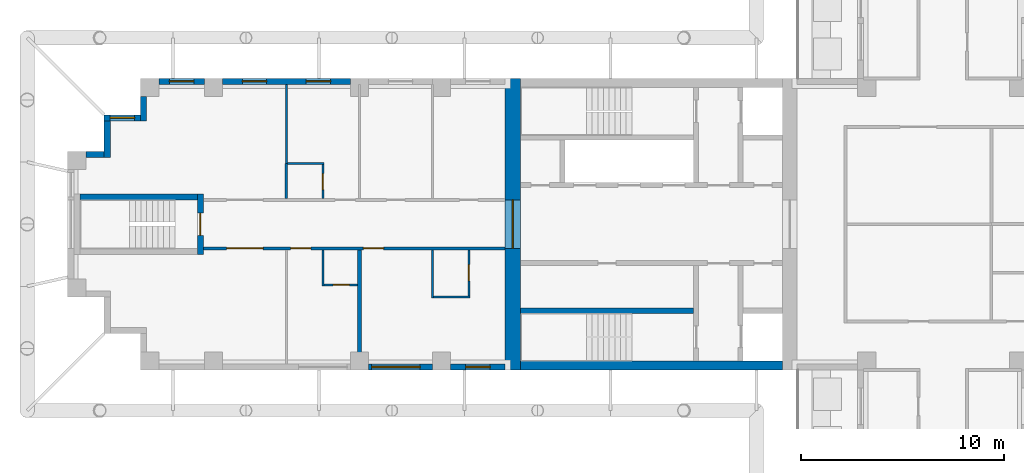
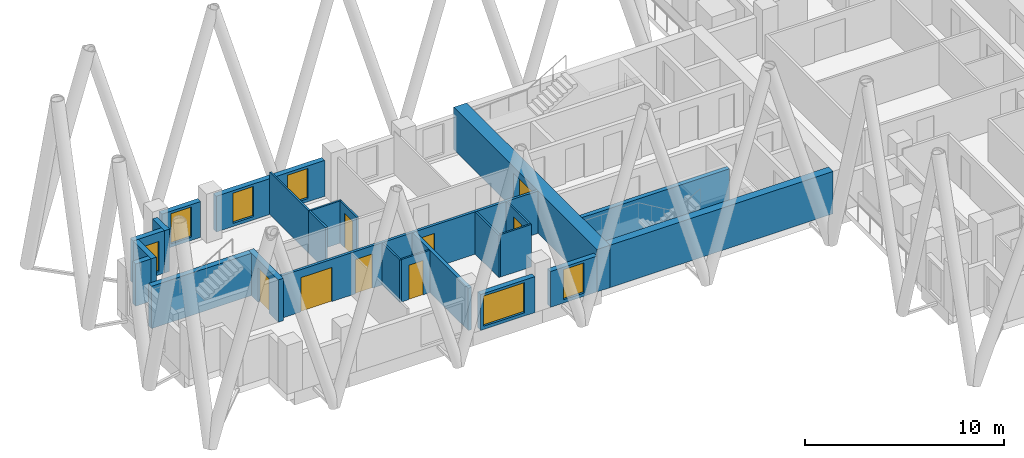
# One storey, part 3 of 12: 24 walls, 8 doors, 6 windows, 14 openings.
"""IFC4 building model written with IfcOpenShell, lengths in metres."""

from ifc_helpers import new_model, si_unit, direction, frame, frame_2d, origin, place, context, subcontext, project, spatial, rectangle, extrude, material, layer, layer_set, type_object, element, fill, save


model = new_model("IFC4")

# Units and contexts
model_context = context("Model", 3, precision=1e-05, world=origin(), true_north=direction((0.0, 1.0)))
body_context = subcontext(model_context, "Body", "Model", "MODEL_VIEW")
ifc_project = project(units=[si_unit("LENGTHUNIT", "METRE"), si_unit("AREAUNIT", "SQUARE_METRE"), si_unit("VOLUMEUNIT", "CUBIC_METRE"), si_unit("PLANEANGLEUNIT", "RADIAN"), si_unit("MASSUNIT", "GRAM", prefix="KILO")], contexts=[model_context])

# Site, building, storey
site_placement = place(None, origin())
site = spatial("IfcSite", under=ifc_project, at=site_placement, CompositionType="ELEMENT")
building_placement = place(site_placement, origin())
building = spatial("IfcBuilding", under=site, at=building_placement, Name="Fustian Cross Tower", CompositionType="ELEMENT")
storey_placement = place(building_placement, frame((0.0, 0.0, 129.300048828125)))
storey = spatial("IfcBuildingStorey", under=building, at=storey_placement, Name="L40", CompositionType="ELEMENT", Elevation=129.300048828125)

# Wall, openings, doors
ifc_material_1 = material(Name="Plasterboard on steel stud", Category="steel")
ifc_layer_1 = layer(ifc_material_1, 0.14990234375)
ifc_layer_set_1 = layer_set([ifc_layer_1], Name="Plasterboard on steel stud")
wall_type_1 = type_object("IfcWallType", Name="COMPARTMENT WALL 150 EI 60", PredefinedType="PARTITIONING", material=ifc_layer_set_1)
wall_1_placement = place(storey_placement, frame((-36.5, -1.199951171875, 0.0), z_axis=(0.0, 0.0, 1.0), x_axis=(1.0, 0.0, 0.0)))
wall_1 = element("IfcWall", 1, at=wall_1_placement, inside=storey, type_object=wall_type_1, Name="Partition 1", PredefinedType="PARTITIONING", context=body_context, shape_type="SweptSolid", body=[
    extrude(rectangle(XDim=14.89990234375, YDim=0.14990234375, at=frame_2d((7.449951171875, 0.0))), origin(), (0.0, 0.0, 1.0), 2.599853515625),
])
opening_1_placement = place(wall_1_placement, frame((7.89990234375, 0.0, 0.0)))
opening_1 = element("IfcOpeningElement", 2, at=opening_1_placement, cuts=wall_1, Name="Opening D19021", PredefinedType="OPENING", context=body_context, shape_type="SweptSolid", body=[
    extrude(rectangle(XDim=1.0, YDim=2.10009765625, at=frame_2d((0.5, 1.050048828125))), frame((0.0, 0.0849609375, 0.0), z_axis=(0.0, -1.0, 0.0), x_axis=(1.0, 0.0, 0.0)), (0.0, 0.0, 1.0), 0.169921875),
])
opening_2_placement = place(wall_1_placement, frame((4.300048828125, 0.0, 0.0)))
opening_2 = element("IfcOpeningElement", 3, at=opening_2_placement, cuts=wall_1, Name="Opening D19023", PredefinedType="OPENING", context=body_context, shape_type="SweptSolid", body=[
    extrude(rectangle(XDim=1.0, YDim=2.10009765625, at=frame_2d((0.5, 1.050048828125))), frame((0.0, 0.0849609375, 0.0), z_axis=(0.0, -1.0, 0.0), x_axis=(1.0, 0.0, 0.0)), (0.0, 0.0, 1.0), 0.169921875),
])
opening_3_placement = place(wall_1_placement, frame((1.14990234375, 0.0, 0.0)))
opening_3 = element("IfcOpeningElement", 4, at=opening_3_placement, cuts=wall_1, Name="Opening D19024", PredefinedType="OPENING", context=body_context, shape_type="SweptSolid", body=[
    extrude(rectangle(XDim=1.800048828125, YDim=2.10009765625, at=frame_2d((0.89990234375, 1.050048828125))), frame((0.0, 0.0849609375, 0.0), z_axis=(0.0, -1.0, 0.0), x_axis=(1.0, 0.0, 0.0)), (0.0, 0.0, 1.0), 0.169921875),
])
ifc_material_2 = material(Name="Timber fire door set", Category="wood")
door_type_1 = type_object("IfcDoorType", Name="FIRE DOUBLE DOOR 1800 FD30S", OperationType="DOUBLE_DOOR_DOUBLE_SWING", PredefinedType="DOOR", material=ifc_material_2)
door_1_placement = place(opening_3_placement, origin())
door_1 = element("IfcDoor", 5, at=door_1_placement, inside=storey, type_object=door_type_1, Name="Door D19024", OperationType="DOUBLE_DOOR_DOUBLE_SWING", OverallHeight=2.10009765625, OverallWidth=1.800048828125, PredefinedType="DOOR", context=body_context, shape_type="SweptSolid", body=[
    extrude(rectangle(XDim=1.800048828125, YDim=2.10009765625, at=frame_2d((0.89990234375, 1.050048828125))), frame((0.0, 0.02490234375, 0.0), z_axis=(0.0, -1.0, 0.0), x_axis=(1.0, 0.0, 0.0)), (0.0, 0.0, 1.0), 0.050048828125),
])
fill(opening_3, door_1)
ifc_material_3 = material(Name="Timber fire door set", Category="wood")
door_type_2 = type_object("IfcDoorType", Name="FIRE SWING DOOR 1000 FD30S", OperationType="SINGLE_SWING_LEFT", PredefinedType="DOOR", material=ifc_material_3)
door_2_placement = place(opening_1_placement, frame((1.0, 0.0, 0.0), z_axis=(0.0, 0.0, 1.0), x_axis=(-1.0, 0.0, 0.0)))
door_2 = element("IfcDoor", 6, at=door_2_placement, inside=storey, type_object=door_type_2, Name="Door D19021", OperationType="SINGLE_SWING_RIGHT", OverallHeight=2.10009765625, OverallWidth=1.0, PredefinedType="DOOR", context=body_context, shape_type="SweptSolid", body=[
    extrude(rectangle(XDim=1.0, YDim=2.10009765625, at=frame_2d((0.5, 1.050048828125))), frame((0.0, 0.02490234375, 0.0), z_axis=(0.0, -1.0, 0.0), x_axis=(1.0, 0.0, 0.0)), (0.0, 0.0, 1.0), 0.050048828125),
])
fill(opening_1, door_2)
door_3_placement = place(opening_2_placement, frame((1.0, 0.0, 0.0), z_axis=(0.0, 0.0, 1.0), x_axis=(-1.0, 0.0, 0.0)))
door_3 = element("IfcDoor", 7, at=door_3_placement, inside=storey, type_object=door_type_2, Name="Door D19023", OperationType="SINGLE_SWING_RIGHT", OverallHeight=2.10009765625, OverallWidth=1.0, PredefinedType="DOOR", context=body_context, shape_type="SweptSolid", body=[
    extrude(rectangle(XDim=1.0, YDim=2.10009765625, at=frame_2d((0.5, 1.050048828125))), frame((0.0, 0.02490234375, 0.0), z_axis=(0.0, -1.0, 0.0), x_axis=(1.0, 0.0, 0.0)), (0.0, 0.0, 1.0), 0.050048828125),
])
fill(opening_2, door_3)

# Wall, opening, door
ifc_material_4 = material(Name="Concrete C60/75", Category="concrete")
ifc_layer_2 = layer(ifc_material_4, 0.75)
ifc_layer_set_2 = layer_set([ifc_layer_2], Name="Concrete C60/75")
wall_type_2 = type_object("IfcWallType", Name="CORE END WALL 750 C60/75", PredefinedType="SHEAR", material=ifc_layer_set_2)
wall_2_placement = place(storey_placement, frame((-21.22509765625, -7.199951171875, 0.0), z_axis=(0.0, 0.0, 1.0), x_axis=(0.0, 1.0, 0.0)))
wall_2 = element("IfcWall", 8, at=wall_2_placement, inside=storey, type_object=wall_type_2, Name="Core end wall", PredefinedType="SHEAR", context=body_context, shape_type="SweptSolid", body=[
    extrude(rectangle(XDim=14.39990234375, YDim=0.75, at=frame_2d((7.199951171875, 0.0))), origin(), (0.0, 0.0, 1.0), 2.599853515625),
])
opening_4_placement = place(wall_2_placement, frame((6.0, 0.0, 0.0)))
opening_4 = element("IfcOpeningElement", 9, at=opening_4_placement, cuts=wall_2, Name="Opening CD-17-28", PredefinedType="OPENING", context=body_context, shape_type="SweptSolid", body=[
    extrude(rectangle(XDim=2.39990234375, YDim=2.199951171875, at=frame_2d((1.199951171875, 1.10009765625))), frame((0.0, 0.385009765625, 0.0), z_axis=(0.0, -1.0, 0.0), x_axis=(1.0, 0.0, 0.0)), (0.0, 0.0, 1.0), 0.77001953125),
])
ifc_material_5 = material(Name="Steel", Category="steel")
door_type_3 = type_object("IfcDoorType", Name="FIRE DOOR FD30S DOUBLE 2400X2200", OperationType="DOUBLE_DOOR_DOUBLE_SWING", PredefinedType="DOOR", material=ifc_material_5)
door_4_placement = place(opening_4_placement, frame((2.39990234375, 0.0, 0.0), z_axis=(0.0, 0.0, 1.0), x_axis=(-1.0, 0.0, 0.0)))
door_4 = element("IfcDoor", 10, at=door_4_placement, inside=storey, type_object=door_type_3, Name="Core door CD-17-28", OperationType="DOUBLE_DOOR_DOUBLE_SWING", OverallHeight=2.199951171875, OverallWidth=2.39990234375, PredefinedType="DOOR", context=body_context, shape_type="SweptSolid", body=[
    extrude(rectangle(XDim=2.39990234375, YDim=2.199951171875, at=frame_2d((1.199951171875, 1.10009765625))), frame((0.0, 0.02490234375, 0.0), z_axis=(0.0, -1.0, 0.0), x_axis=(1.0, 0.0, 0.0)), (0.0, 0.0, 1.0), 0.050048828125),
])
fill(opening_4, door_4)

# Walls
ifc_material_6 = material(Name="Concrete C60/75", Category="concrete")
ifc_layer_3 = layer(ifc_material_6, 0.449951171875)
ifc_layer_set_3 = layer_set([ifc_layer_3], Name="Concrete C60/75")
wall_type_3 = type_object("IfcWallType", Name="CORE FACADE WALL 450 C60/75", PredefinedType="SHEAR", material=ifc_layer_set_3)
wall_3_placement = place(storey_placement, frame((-7.89990234375, -6.97509765625, 0.0), z_axis=(0.0, 0.0, 1.0), x_axis=(-1.0, 0.0, 0.0)))
element("IfcWall", 11, at=wall_3_placement, inside=storey, type_object=wall_type_3, Name="Core facade wall", PredefinedType="SHEAR", context=body_context, shape_type="SweptSolid", body=[
    extrude(rectangle(XDim=12.9501953125, YDim=0.449951171875, at=frame_2d((6.47509765625, 0.0))), origin(), (0.0, 0.0, 1.0), 2.599853515625),
])
ifc_material_7 = material(Name="Concrete C50/60", Category="concrete")
ifc_layer_4 = layer(ifc_material_7, 0.25)
ifc_layer_set_4 = layer_set([ifc_layer_4], Name="Concrete C50/60")
wall_type_4 = type_object("IfcWallType", Name="CORE SHAFT WALL 250 C50/60", PredefinedType="SHEAR", material=ifc_layer_set_4)
wall_4_placement = place(storey_placement, frame((-12.300048828125, -4.27490234375, 0.0), z_axis=(0.0, 0.0, 1.0), x_axis=(-1.0, 0.0, 0.0)))
element("IfcWall", 12, at=wall_4_placement, inside=storey, type_object=wall_type_4, Name="Core shaft wall", PredefinedType="SHEAR", context=body_context, shape_type="SweptSolid", body=[
    extrude(rectangle(XDim=8.550048828125, YDim=0.25, at=frame_2d((4.27490234375, 0.0))), origin(), (0.0, 0.0, 1.0), 2.599853515625),
])
ifc_material_8 = material(Name="Plasterboard on steel stud", Category="steel")
ifc_layer_5 = layer(ifc_material_8, 0.10009765625)
ifc_layer_set_5 = layer_set([ifc_layer_5], Name="Plasterboard on steel stud")
wall_type_5 = type_object("IfcWallType", Name="PARTITION 100 STUD", PredefinedType="PARTITIONING", material=ifc_layer_set_5)
wall_5_placement = place(storey_placement, frame((-32.39990234375, 3.0, 0.0), z_axis=(0.0, 0.0, 1.0), x_axis=(0.0, 1.0, 0.0)))
element("IfcWall", 13, at=wall_5_placement, inside=storey, type_object=wall_type_5, Name="Partition 5", PredefinedType="PARTITIONING", context=body_context, shape_type="SweptSolid", body=[
    extrude(rectangle(XDim=3.89990234375, YDim=0.10009765625, at=frame_2d((1.949951171875, 0.0))), origin(), (0.0, 0.0, 1.0), 2.599853515625),
])
wall_6_placement = place(storey_placement, frame((-32.33740234375, 3.0, 0.0), z_axis=(0.0, 0.0, 1.0), x_axis=(1.0, 0.0, 0.0)))
element("IfcWall", 14, at=wall_6_placement, inside=storey, type_object=wall_type_5, Name="Partition 6", PredefinedType="PARTITIONING", context=body_context, shape_type="SweptSolid", body=[
    extrude(rectangle(XDim=1.787353515625, YDim=0.10009765625, at=frame_2d((0.8935546875, 0.0))), origin(), (0.0, 0.0, 1.0), 2.599853515625),
])
wall_7_placement = place(storey_placement, frame((-30.60009765625, -3.050048828125, 0.0), z_axis=(0.0, 0.0, 1.0), x_axis=(0.0, 1.0, 0.0)))
element("IfcWall", 15, at=wall_7_placement, inside=storey, type_object=wall_type_5, Name="Partition 7", PredefinedType="PARTITIONING", context=body_context, shape_type="SweptSolid", body=[
    extrude(rectangle(XDim=1.775146484375, YDim=0.10009765625, at=frame_2d((0.8876953125, 0.0))), origin(), (0.0, 0.0, 1.0), 2.599853515625),
])

# Wall, opening, door
wall_8_placement = place(storey_placement, frame((-30.550048828125, -3.0, 0.0), z_axis=(0.0, 0.0, 1.0), x_axis=(1.0, 0.0, 0.0)))
wall_8 = element("IfcWall", 16, at=wall_8_placement, inside=storey, type_object=wall_type_5, Name="Partition 8", PredefinedType="PARTITIONING", context=body_context, shape_type="SweptSolid", body=[
    extrude(rectangle(XDim=1.650146484375, YDim=0.10009765625, at=frame_2d((0.8251953125, 0.0))), origin(), (0.0, 0.0, 1.0), 2.599853515625),
])
opening_5_placement = place(wall_8_placement, frame((0.449951171875, 0.0, 0.0)))
opening_5 = element("IfcOpeningElement", 17, at=opening_5_placement, cuts=wall_8, Name="Opening D19022", PredefinedType="OPENING", context=body_context, shape_type="SweptSolid", body=[
    extrude(rectangle(XDim=0.800048828125, YDim=2.10009765625, at=frame_2d((0.39990234375, 1.050048828125))), frame((0.0, 0.06005859375, 0.0), z_axis=(0.0, -1.0, 0.0), x_axis=(1.0, 0.0, 0.0)), (0.0, 0.0, 1.0), 0.1201171875),
])
ifc_material_9 = material(Name="Painted timber", Category="wood")
door_type_4 = type_object("IfcDoorType", Name="SWING DOOR 800", OperationType="SINGLE_SWING_LEFT", PredefinedType="DOOR", material=ifc_material_9)
door_5_placement = place(opening_5_placement, origin())
door_5 = element("IfcDoor", 18, at=door_5_placement, inside=storey, type_object=door_type_4, Name="Door D19022", OperationType="SINGLE_SWING_RIGHT", OverallHeight=2.10009765625, OverallWidth=0.800048828125, PredefinedType="DOOR", context=body_context, shape_type="SweptSolid", body=[
    extrude(rectangle(XDim=0.800048828125, YDim=2.10009765625, at=frame_2d((0.39990234375, 1.050048828125))), frame((0.0, 0.02490234375, 0.0), z_axis=(0.0, -1.0, 0.0), x_axis=(1.0, 0.0, 0.0)), (0.0, 0.0, 1.0), 0.050048828125),
])
fill(opening_5, door_5)

wall_9_placement = place(storey_placement, frame((-30.60009765625, 1.27490234375, 0.0), z_axis=(0.0, 0.0, 1.0), x_axis=(0.0, 1.0, 0.0)))
wall_9 = element("IfcWall", 19, at=wall_9_placement, inside=storey, type_object=wall_type_5, Name="Partition 9", PredefinedType="PARTITIONING", context=body_context, shape_type="SweptSolid", body=[
    extrude(rectangle(XDim=1.675048828125, YDim=0.10009765625, at=frame_2d((0.83740234375, 0.0))), origin(), (0.0, 0.0, 1.0), 2.599853515625),
])
opening_6_placement = place(wall_9_placement, frame((0.425048828125, 0.0, 0.0)))
opening_6 = element("IfcOpeningElement", 20, at=opening_6_placement, cuts=wall_9, Name="Opening D19027", PredefinedType="OPENING", context=body_context, shape_type="SweptSolid", body=[
    extrude(rectangle(XDim=0.800048828125, YDim=2.10009765625, at=frame_2d((0.39990234375, 1.050048828125))), frame((0.0, 0.06005859375, 0.0), z_axis=(0.0, -1.0, 0.0), x_axis=(1.0, 0.0, 0.0)), (0.0, 0.0, 1.0), 0.1201171875),
])
door_6_placement = place(opening_6_placement, origin())
door_6 = element("IfcDoor", 21, at=door_6_placement, inside=storey, type_object=door_type_4, Name="Door D19027", OperationType="SINGLE_SWING_RIGHT", OverallHeight=2.10009765625, OverallWidth=0.800048828125, PredefinedType="DOOR", context=body_context, shape_type="SweptSolid", body=[
    extrude(rectangle(XDim=0.800048828125, YDim=2.10009765625, at=frame_2d((0.39990234375, 1.050048828125))), frame((0.0, 0.02490234375, 0.0), z_axis=(0.0, -1.0, 0.0), x_axis=(1.0, 0.0, 0.0)), (0.0, 0.0, 1.0), 0.050048828125),
])
fill(opening_6, door_6)

# Walls
wall_10_placement = place(storey_placement, frame((-25.199951171875, -3.64990234375, 0.0), z_axis=(0.0, 0.0, 1.0), x_axis=(0.0, 1.0, 0.0)))
element("IfcWall", 22, at=wall_10_placement, inside=storey, type_object=wall_type_5, Name="Partition 12", PredefinedType="PARTITIONING", context=body_context, shape_type="SweptSolid", body=[
    extrude(rectangle(XDim=2.375, YDim=0.10009765625, at=frame_2d((1.1875, 0.0))), origin(), (0.0, 0.0, 1.0), 2.599853515625),
])
wall_11_placement = place(storey_placement, frame((-25.14990234375, -3.60009765625, 0.0), z_axis=(0.0, 0.0, 1.0), x_axis=(1.0, 0.0, 0.0)))
element("IfcWall", 23, at=wall_11_placement, inside=storey, type_object=wall_type_5, Name="Partition 13", PredefinedType="PARTITIONING", context=body_context, shape_type="SweptSolid", body=[
    extrude(rectangle(XDim=1.7998046875, YDim=0.10009765625, at=frame_2d((0.89990234375, 0.0))), origin(), (0.0, 0.0, 1.0), 2.599853515625),
])

# Wall, opening, door
wall_12_placement = place(storey_placement, frame((-23.39990234375, -3.550048828125, 0.0), z_axis=(0.0, 0.0, 1.0), x_axis=(0.0, 1.0, 0.0)))
wall_12 = element("IfcWall", 24, at=wall_12_placement, inside=storey, type_object=wall_type_5, Name="Partition 15", PredefinedType="PARTITIONING", context=body_context, shape_type="SweptSolid", body=[
    extrude(rectangle(XDim=2.275146484375, YDim=0.10009765625, at=frame_2d((1.1376953125, 0.0))), origin(), (0.0, 0.0, 1.0), 2.599853515625),
])
opening_7_placement = place(wall_12_placement, frame((0.75, 0.0, 0.0)))
opening_7 = element("IfcOpeningElement", 25, at=opening_7_placement, cuts=wall_12, Name="Opening D19020", PredefinedType="OPENING", context=body_context, shape_type="SweptSolid", body=[
    extrude(rectangle(XDim=0.800048828125, YDim=2.10009765625, at=frame_2d((0.39990234375, 1.050048828125))), frame((0.0, 0.06005859375, 0.0), z_axis=(0.0, -1.0, 0.0), x_axis=(1.0, 0.0, 0.0)), (0.0, 0.0, 1.0), 0.1201171875),
])
door_7_placement = place(opening_7_placement, origin())
door_7 = element("IfcDoor", 26, at=door_7_placement, inside=storey, type_object=door_type_4, Name="Door D19020", OperationType="SINGLE_SWING_LEFT", OverallHeight=2.10009765625, OverallWidth=0.800048828125, PredefinedType="DOOR", context=body_context, shape_type="SweptSolid", body=[
    extrude(rectangle(XDim=0.800048828125, YDim=2.10009765625, at=frame_2d((0.39990234375, 1.050048828125))), frame((0.0, 0.02490234375, 0.0), z_axis=(0.0, -1.0, 0.0), x_axis=(1.0, 0.0, 0.0)), (0.0, 0.0, 1.0), 0.050048828125),
])
fill(opening_7, door_7)

# Wall
ifc_material_10 = material(Name="Plasterboard on steel stud", Category="steel")
ifc_layer_6 = layer(ifc_material_10, 0.199951171875)
ifc_layer_set_6 = layer_set([ifc_layer_6], Name="Plasterboard on steel stud")
wall_type_6 = type_object("IfcWallType", Name="PARTY WALL 200 EI 60", PredefinedType="PARTITIONING", material=ifc_layer_set_6)
wall_13_placement = place(storey_placement, frame((-28.800048828125, -6.89990234375, 0.0), z_axis=(0.0, 0.0, 1.0), x_axis=(0.0, 1.0, 0.0)))
element("IfcWall", 27, at=wall_13_placement, inside=storey, type_object=wall_type_6, Name="Partition 10", PredefinedType="PARTITIONING", context=body_context, shape_type="SweptSolid", body=[
    extrude(rectangle(XDim=5.625, YDim=0.199951171875, at=frame_2d((2.8125, 0.0))), origin(), (0.0, 0.0, 1.0), 2.599853515625),
])

# Wall, opening, door
ifc_material_11 = material(Name="Concrete C50/60", Category="concrete")
ifc_layer_7 = layer(ifc_material_11, 0.300048828125)
ifc_layer_set_7 = layer_set([ifc_layer_7], Name="Concrete C50/60")
wall_type_7 = type_object("IfcWallType", Name="STAIR ENCLOSURE WALL 300 C50/60", PredefinedType="SHEAR", material=ifc_layer_set_7)
wall_14_placement = place(storey_placement, frame((-36.64990234375, -1.5, 0.0), z_axis=(0.0, 0.0, 1.0), x_axis=(0.0, 1.0, 0.0)))
wall_14 = element("IfcWall", 28, at=wall_14_placement, inside=storey, type_object=wall_type_7, Name="Stair enclosure wall", PredefinedType="SHEAR", context=body_context, shape_type="SweptSolid", body=[
    extrude(rectangle(XDim=3.0, YDim=0.300048828125, at=frame_2d((1.5, 0.0))), origin(), (0.0, 0.0, 1.0), 2.599853515625),
])
opening_8_placement = place(wall_14_placement, frame((0.949951171875, 0.0, 0.0)))
opening_8 = element("IfcOpeningElement", 29, at=opening_8_placement, cuts=wall_14, Name="Opening CD-17-32", PredefinedType="OPENING", context=body_context, shape_type="SweptSolid", body=[
    extrude(rectangle(XDim=1.10009765625, YDim=2.10009765625, at=frame_2d((0.550048828125, 1.050048828125))), frame((0.0, 0.159912109375, 0.0), z_axis=(0.0, -1.0, 0.0), x_axis=(1.0, 0.0, 0.0)), (0.0, 0.0, 1.0), 0.320068359375),
])
ifc_material_12 = material(Name="Steel", Category="steel")
door_type_5 = type_object("IfcDoorType", Name="FIRE DOOR FD60S 1100X2100", OperationType="SINGLE_SWING_LEFT", PredefinedType="DOOR", material=ifc_material_12)
door_8_placement = place(opening_8_placement, origin())
door_8 = element("IfcDoor", 30, at=door_8_placement, inside=storey, type_object=door_type_5, Name="Core door CD-17-32", OperationType="SINGLE_SWING_LEFT", OverallHeight=2.10009765625, OverallWidth=1.10009765625, PredefinedType="DOOR", context=body_context, shape_type="SweptSolid", body=[
    extrude(rectangle(XDim=1.10009765625, YDim=2.10009765625, at=frame_2d((0.550048828125, 1.050048828125))), frame((0.0, 0.02490234375, 0.0), z_axis=(0.0, -1.0, 0.0), x_axis=(1.0, 0.0, 0.0)), (0.0, 0.0, 1.0), 0.050048828125),
])
fill(opening_8, door_8)

# Walls
wall_15_placement = place(storey_placement, frame((-36.800048828125, 1.35009765625, 0.0), z_axis=(0.0, 0.0, 1.0), x_axis=(-1.0, 0.0, 0.0)))
element("IfcWall", 31, at=wall_15_placement, inside=storey, type_object=wall_type_7, Name="Stair enclosure wall", PredefinedType="SHEAR", context=body_context, shape_type="SweptSolid", body=[
    extrude(rectangle(XDim=5.800048828125, YDim=0.300048828125, at=frame_2d((2.89990234375, 0.0))), origin(), (0.0, 0.0, 1.0), 2.599853515625),
])
ifc_material_13 = material(Name="Plasterboard on steel stud", Category="steel")
ifc_layer_8 = layer(ifc_material_13, 0.125)
ifc_layer_set_8 = layer_set([ifc_layer_8], Name="Plasterboard on steel stud")
wall_type_8 = type_object("IfcWallType", Name="WET WALL 125 STUD", PredefinedType="PARTITIONING", material=ifc_layer_set_8)
wall_16_placement = place(storey_placement, frame((-32.39990234375, 1.27490234375, 0.0), z_axis=(0.0, 0.0, 1.0), x_axis=(0.0, 1.0, 0.0)))
element("IfcWall", 32, at=wall_16_placement, inside=storey, type_object=wall_type_8, Name="Partition 4", PredefinedType="PARTITIONING", context=body_context, shape_type="SweptSolid", body=[
    extrude(rectangle(XDim=1.72509765625, YDim=0.125, at=frame_2d((0.862548828125, 0.0))), origin(), (0.0, 0.0, 1.0), 2.599853515625),
])

# Wall, openings, windows
ifc_material_14 = material(Name="Dark aluminium cladding on insulated backing wall", Category="aluminium")
ifc_layer_9 = layer(ifc_material_14, 0.300048828125)
ifc_layer_set_9 = layer_set([ifc_layer_9], Name="Dark aluminium cladding on insulated backing wall")
wall_type_9 = type_object("IfcWallType", Name="XW1 EXTERNAL WALL 300", PredefinedType="SOLIDWALL", material=ifc_layer_set_9)
wall_17_placement = place(storey_placement, frame((-29.25, 7.050048828125, 0.0), z_axis=(0.0, 0.0, 1.0), x_axis=(-1.0, 0.0, 0.0)))
wall_17 = element("IfcWall", 33, at=wall_17_placement, inside=storey, type_object=wall_type_9, Name="External wall", PredefinedType="SOLIDWALL", context=body_context, shape_type="SweptSolid", body=[
    extrude(rectangle(XDim=6.300048828125, YDim=0.300048828125, at=frame_2d((3.14990234375, 0.0))), origin(), (0.0, 0.0, 1.0), 2.199951171875),
])
opening_9_placement = place(wall_17_placement, frame((0.97509765625, 0.0, 0.199951171875)))
opening_9 = element("IfcOpeningElement", 34, at=opening_9_placement, cuts=wall_17, Name="Opening WN3", PredefinedType="OPENING", context=body_context, shape_type="SweptSolid", body=[
    extrude(rectangle(XDim=1.199951171875, YDim=1.85009765625, at=frame_2d((0.60009765625, 0.925048828125))), frame((0.0, 0.159912109375, 0.0), z_axis=(0.0, -1.0, 0.0), x_axis=(1.0, 0.0, 0.0)), (0.0, 0.0, 1.0), 0.320068359375),
])
opening_10_placement = place(wall_17_placement, frame((4.125, 0.0, 0.199951171875)))
opening_10 = element("IfcOpeningElement", 35, at=opening_10_placement, cuts=wall_17, Name="Opening WN3", PredefinedType="OPENING", context=body_context, shape_type="SweptSolid", body=[
    extrude(rectangle(XDim=1.199951171875, YDim=1.85009765625, at=frame_2d((0.60009765625, 0.925048828125))), frame((0.0, 0.159912109375, 0.0), z_axis=(0.0, -1.0, 0.0), x_axis=(1.0, 0.0, 0.0)), (0.0, 0.0, 1.0), 0.320068359375),
])
ifc_material_15 = material(Name="Dark anodised aluminium and double glazing", Category="aluminium")
window_type_1 = type_object("IfcWindowType", Name="WN3 WINDOW 1200X1850", PartitioningType="SINGLE_PANEL", PredefinedType="WINDOW", material=ifc_material_15)
window_1_placement = place(opening_9_placement, origin())
window_1 = element("IfcWindow", 36, at=window_1_placement, inside=storey, type_object=window_type_1, Name="Window", OverallHeight=1.85009765625, OverallWidth=1.199951171875, PartitioningType="SINGLE_PANEL", PredefinedType="WINDOW", context=body_context, shape_type="SweptSolid", body=[
    extrude(rectangle(XDim=1.199951171875, YDim=1.85009765625, at=frame_2d((0.60009765625, 0.925048828125))), frame((0.0, 0.030029296875, 0.0), z_axis=(0.0, -1.0, 0.0), x_axis=(1.0, 0.0, 0.0)), (0.0, 0.0, 1.0), 0.06005859375),
])
fill(opening_9, window_1)
window_2_placement = place(opening_10_placement, origin())
window_2 = element("IfcWindow", 37, at=window_2_placement, inside=storey, type_object=window_type_1, Name="Window", OverallHeight=1.85009765625, OverallWidth=1.199951171875, PartitioningType="SINGLE_PANEL", PredefinedType="WINDOW", context=body_context, shape_type="SweptSolid", body=[
    extrude(rectangle(XDim=1.199951171875, YDim=1.85009765625, at=frame_2d((0.60009765625, 0.925048828125))), frame((0.0, 0.030029296875, 0.0), z_axis=(0.0, -1.0, 0.0), x_axis=(1.0, 0.0, 0.0)), (0.0, 0.0, 1.0), 0.06005859375),
])
fill(opening_10, window_2)

# Wall, opening, window
wall_18_placement = place(storey_placement, frame((-36.449951171875, 7.050048828125, 0.0), z_axis=(0.0, 0.0, 1.0), x_axis=(-1.0, 0.0, 0.0)))
wall_18 = element("IfcWall", 38, at=wall_18_placement, inside=storey, type_object=wall_type_9, Name="External wall", PredefinedType="SOLIDWALL", context=body_context, shape_type="SweptSolid", body=[
    extrude(rectangle(XDim=2.25, YDim=0.300048828125, at=frame_2d((1.125, 0.0))), origin(), (0.0, 0.0, 1.0), 2.199951171875),
])
opening_11_placement = place(wall_18_placement, frame((0.52490234375, 0.0, 0.199951171875)))
opening_11 = element("IfcOpeningElement", 39, at=opening_11_placement, cuts=wall_18, Name="Opening WN3", PredefinedType="OPENING", context=body_context, shape_type="SweptSolid", body=[
    extrude(rectangle(XDim=1.199951171875, YDim=1.85009765625, at=frame_2d((0.60009765625, 0.925048828125))), frame((0.0, 0.159912109375, 0.0), z_axis=(0.0, -1.0, 0.0), x_axis=(1.0, 0.0, 0.0)), (0.0, 0.0, 1.0), 0.320068359375),
])
window_3_placement = place(opening_11_placement, origin())
window_3 = element("IfcWindow", 40, at=window_3_placement, inside=storey, type_object=window_type_1, Name="Window", OverallHeight=1.85009765625, OverallWidth=1.199951171875, PartitioningType="SINGLE_PANEL", PredefinedType="WINDOW", context=body_context, shape_type="SweptSolid", body=[
    extrude(rectangle(XDim=1.199951171875, YDim=1.85009765625, at=frame_2d((0.60009765625, 0.925048828125))), frame((0.0, 0.030029296875, 0.0), z_axis=(0.0, -1.0, 0.0), x_axis=(1.0, 0.0, 0.0)), (0.0, 0.0, 1.0), 0.06005859375),
])
fill(opening_11, window_3)

# Wall
wall_19_placement = place(storey_placement, frame((-39.449951171875, 6.300048828125, 0.0), z_axis=(0.0, 0.0, 1.0), x_axis=(0.0, -1.0, 0.0)))
element("IfcWall", 41, at=wall_19_placement, inside=storey, type_object=wall_type_9, Name="External wall", PredefinedType="SOLIDWALL", context=body_context, shape_type="SweptSolid", body=[
    extrude(rectangle(XDim=1.199951171875, YDim=0.300048828125, at=frame_2d((0.60009765625, 0.0))), origin(), (0.0, 0.0, 1.0), 2.599853515625),
])

# Wall, opening, window
wall_20_placement = place(storey_placement, frame((-39.60009765625, 5.25, 0.0), z_axis=(0.0, 0.0, 1.0), x_axis=(-1.0, 0.0, 0.0)))
wall_20 = element("IfcWall", 42, at=wall_20_placement, inside=storey, type_object=wall_type_9, Name="External wall", PredefinedType="SOLIDWALL", context=body_context, shape_type="SweptSolid", body=[
    extrude(rectangle(XDim=1.7998046875, YDim=0.300048828125, at=frame_2d((0.89990234375, 0.0))), origin(), (0.0, 0.0, 1.0), 2.599853515625),
])
opening_12_placement = place(wall_20_placement, frame((0.300048828125, 0.0, 0.199951171875)))
opening_12 = element("IfcOpeningElement", 43, at=opening_12_placement, cuts=wall_20, Name="Opening WN3", PredefinedType="OPENING", context=body_context, shape_type="SweptSolid", body=[
    extrude(rectangle(XDim=1.199951171875, YDim=1.85009765625, at=frame_2d((0.60009765625, 0.925048828125))), frame((0.0, 0.159912109375, 0.0), z_axis=(0.0, -1.0, 0.0), x_axis=(1.0, 0.0, 0.0)), (0.0, 0.0, 1.0), 0.320068359375),
])
window_4_placement = place(opening_12_placement, origin())
window_4 = element("IfcWindow", 44, at=window_4_placement, inside=storey, type_object=window_type_1, Name="Window", OverallHeight=1.85009765625, OverallWidth=1.199951171875, PartitioningType="SINGLE_PANEL", PredefinedType="WINDOW", context=body_context, shape_type="SweptSolid", body=[
    extrude(rectangle(XDim=1.199951171875, YDim=1.85009765625, at=frame_2d((0.60009765625, 0.925048828125))), frame((0.0, 0.030029296875, 0.0), z_axis=(0.0, -1.0, 0.0), x_axis=(1.0, 0.0, 0.0)), (0.0, 0.0, 1.0), 0.06005859375),
])
fill(opening_12, window_4)

# Walls
wall_21_placement = place(storey_placement, frame((-41.25, 5.10009765625, 0.0), z_axis=(0.0, 0.0, 1.0), x_axis=(0.0, -1.0, 0.0)))
element("IfcWall", 45, at=wall_21_placement, inside=storey, type_object=wall_type_9, Name="External wall", PredefinedType="SOLIDWALL", context=body_context, shape_type="SweptSolid", body=[
    extrude(rectangle(XDim=1.800048828125, YDim=0.300048828125, at=frame_2d((0.89990234375, 0.0))), origin(), (0.0, 0.0, 1.0), 2.599853515625),
])
wall_22_placement = place(storey_placement, frame((-41.39990234375, 3.449951171875, 0.0), z_axis=(0.0, 0.0, 1.0), x_axis=(-1.0, 0.0, 0.0)))
element("IfcWall", 46, at=wall_22_placement, inside=storey, type_object=wall_type_9, Name="External wall", PredefinedType="SOLIDWALL", context=body_context, shape_type="SweptSolid", body=[
    extrude(rectangle(XDim=0.900146484375, YDim=0.300048828125, at=frame_2d((0.4501953125, 0.0))), origin(), (0.0, 0.0, 1.0), 2.599853515625),
])

# Wall, opening, window
wall_23_placement = place(storey_placement, frame((-28.35009765625, -7.050048828125, 0.0), z_axis=(0.0, 0.0, 1.0), x_axis=(1.0, 0.0, 0.0)))
wall_23 = element("IfcWall", 47, at=wall_23_placement, inside=storey, type_object=wall_type_9, Name="External wall", PredefinedType="SOLIDWALL", context=body_context, shape_type="SweptSolid", body=[
    extrude(rectangle(XDim=3.150146484375, YDim=0.300048828125, at=frame_2d((1.5751953125, 0.0))), origin(), (0.0, 0.0, 1.0), 2.199951171875),
])
opening_13_placement = place(wall_23_placement, frame((0.14990234375, 0.0, 0.199951171875)))
opening_13 = element("IfcOpeningElement", 48, at=opening_13_placement, cuts=wall_23, Name="Opening WN1", PredefinedType="OPENING", context=body_context, shape_type="SweptSolid", body=[
    extrude(rectangle(XDim=2.39990234375, YDim=1.85009765625, at=frame_2d((1.199951171875, 0.925048828125))), frame((0.0, 0.159912109375, 0.0), z_axis=(0.0, -1.0, 0.0), x_axis=(1.0, 0.0, 0.0)), (0.0, 0.0, 1.0), 0.320068359375),
])
ifc_material_16 = material(Name="Dark anodised aluminium and double glazing", Category="aluminium")
window_type_2 = type_object("IfcWindowType", Name="WN1 WINDOW 2400X1850", PartitioningType="SINGLE_PANEL", PredefinedType="WINDOW", material=ifc_material_16)
window_5_placement = place(opening_13_placement, origin())
window_5 = element("IfcWindow", 49, at=window_5_placement, inside=storey, type_object=window_type_2, Name="Window", OverallHeight=1.85009765625, OverallWidth=2.39990234375, PartitioningType="SINGLE_PANEL", PredefinedType="WINDOW", context=body_context, shape_type="SweptSolid", body=[
    extrude(rectangle(XDim=2.39990234375, YDim=1.85009765625, at=frame_2d((1.199951171875, 0.925048828125))), frame((0.0, 0.030029296875, 0.0), z_axis=(0.0, -1.0, 0.0), x_axis=(1.0, 0.0, 0.0)), (0.0, 0.0, 1.0), 0.06005859375),
])
fill(opening_13, window_5)

wall_24_placement = place(storey_placement, frame((-24.300048828125, -7.050048828125, 0.0), z_axis=(0.0, 0.0, 1.0), x_axis=(1.0, 0.0, 0.0)))
wall_24 = element("IfcWall", 50, at=wall_24_placement, inside=storey, type_object=wall_type_9, Name="External wall", PredefinedType="SOLIDWALL", context=body_context, shape_type="SweptSolid", body=[
    extrude(rectangle(XDim=2.699951171875, YDim=0.300048828125, at=frame_2d((1.35009765625, 0.0))), origin(), (0.0, 0.0, 1.0), 2.199951171875),
])
opening_14_placement = place(wall_24_placement, frame((0.75, 0.0, 0.199951171875)))
opening_14 = element("IfcOpeningElement", 51, at=opening_14_placement, cuts=wall_24, Name="Opening WN3", PredefinedType="OPENING", context=body_context, shape_type="SweptSolid", body=[
    extrude(rectangle(XDim=1.199951171875, YDim=1.85009765625, at=frame_2d((0.60009765625, 0.925048828125))), frame((0.0, 0.159912109375, 0.0), z_axis=(0.0, -1.0, 0.0), x_axis=(1.0, 0.0, 0.0)), (0.0, 0.0, 1.0), 0.320068359375),
])
window_6_placement = place(opening_14_placement, origin())
window_6 = element("IfcWindow", 52, at=window_6_placement, inside=storey, type_object=window_type_1, Name="Window", OverallHeight=1.85009765625, OverallWidth=1.199951171875, PartitioningType="SINGLE_PANEL", PredefinedType="WINDOW", context=body_context, shape_type="SweptSolid", body=[
    extrude(rectangle(XDim=1.199951171875, YDim=1.85009765625, at=frame_2d((0.60009765625, 0.925048828125))), frame((0.0, 0.030029296875, 0.0), z_axis=(0.0, -1.0, 0.0), x_axis=(1.0, 0.0, 0.0)), (0.0, 0.0, 1.0), 0.06005859375),
])
fill(opening_14, window_6)

save(model, "model.ifc")
